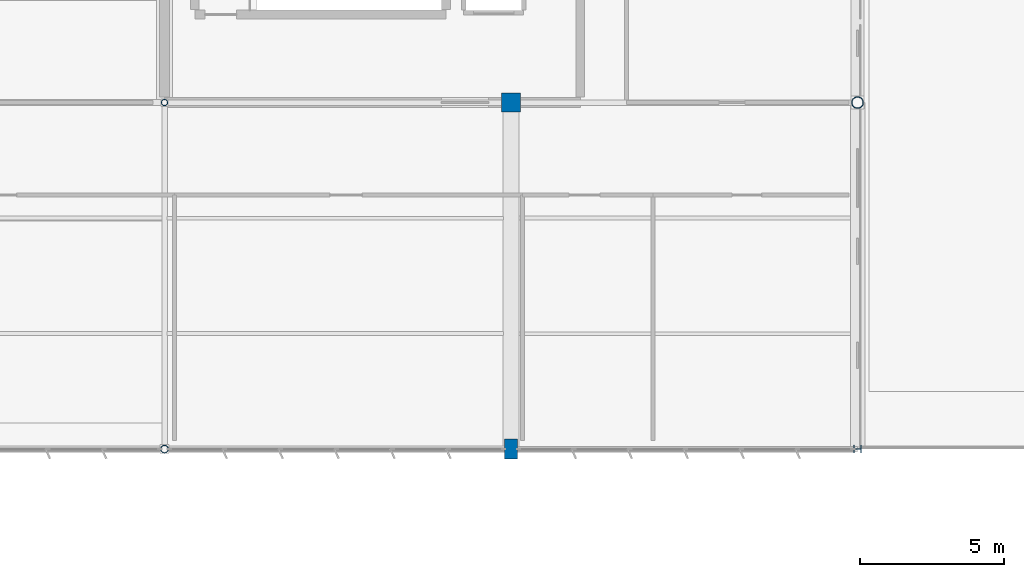
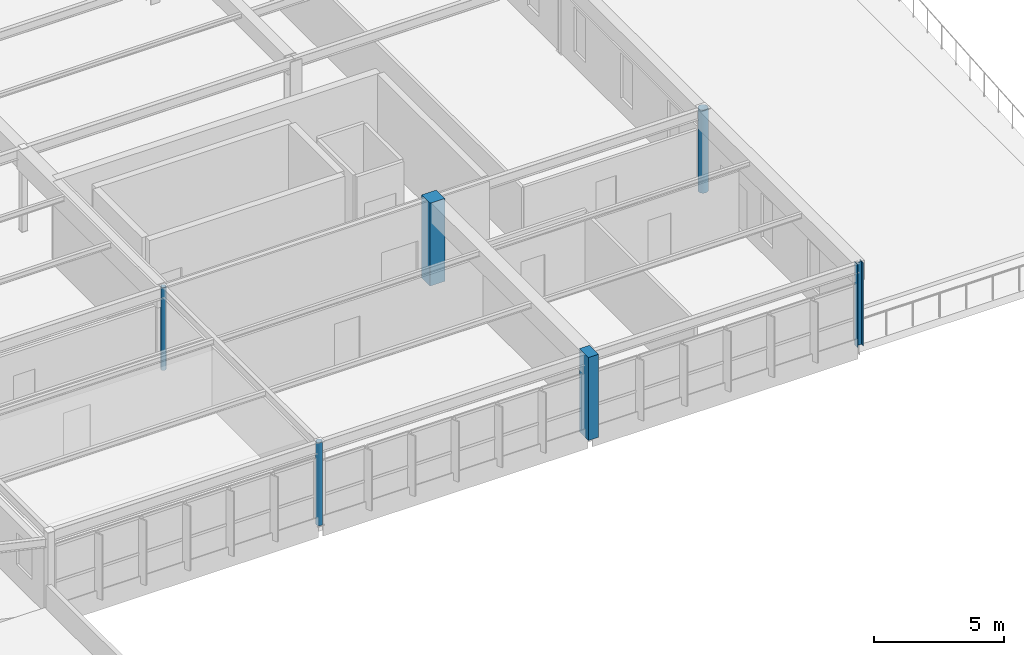
# One storey, part 22 of 128: 6 columns.
"""IFC4 building model written with IfcOpenShell, lengths in metres."""

import ifcopenshell
import ifcopenshell.guid

model = None  # the IFC model being written
_history = None  # IfcOwnerHistory: only IFC2X3 demands one
_inside = {}  # id of a spatial element -> (the spatial element, [elements in it])
_under = {}  # id of a project, library or spatial element -> (it, [spatial elements below it])
_declared = {}  # id of a project -> (the project, [libraries it declares])
_typed = {}  # id of a type object -> (the type object, [elements of that type])
_made_of = {}  # id of a material, layer set ... -> (it, [elements and type objects made of it])


def new_model(schema):
    """Start an empty IFC model of exactly this schema.

    Asked for "IFC4X3", IfcOpenShell would pick the latest addendum, in which some entities
    have other attributes; the version numbers below select the first issue.
    IFC2X3 requires an IfcOwnerHistory on every rooted entity: one is made here for all.
    """
    global model, _history
    if schema == "IFC4X3":
        model = ifcopenshell.file(schema_version=(4, 3, 0, 0))
    else:
        model = ifcopenshell.file(schema=schema)
    _inside.clear()
    _under.clear()
    _declared.clear()
    _typed.clear()
    _made_of.clear()
    _history = None
    if model.schema == "IFC2X3":
        org = make("IfcOrganization", Name="unknown")
        user = make(
            "IfcPersonAndOrganization",
            ThePerson=make("IfcPerson", FamilyName="unknown"),
            TheOrganization=org,
        )
        app = make(
            "IfcApplication",
            ApplicationDeveloper=org,
            Version="unknown",
            ApplicationFullName="unknown",
            ApplicationIdentifier="unknown",
        )
        _history = make(
            "IfcOwnerHistory",
            OwningUser=user,
            OwningApplication=app,
            ChangeAction="ADDED",
            CreationDate=0,
        )
    return model


def make(cls, **values):
    """One entity of the class cls with the attributes given. An attribute that is None is left unset."""
    return model.create_entity(
        cls, **{name: value for name, value in values.items() if value is not None}
    )


def rooted(cls, **values):
    """An entity with a GlobalId (a new one), such as an element, a storey or a relation."""
    return make(cls, GlobalId=ifcopenshell.guid.new(), OwnerHistory=_history, **values)


def si_unit(unit_type, name, prefix=None):
    """IfcSIUnit, for example si_unit("LENGTHUNIT", "METRE", prefix="MILLI")."""
    return make("IfcSIUnit", UnitType=unit_type, Prefix=prefix, Name=name)


def assignment(units):
    """IfcUnitAssignment: the units of a project."""
    return None if units is None else make("IfcUnitAssignment", Units=units)


def point(xyz):
    """IfcCartesianPoint."""
    return None if xyz is None else make("IfcCartesianPoint", Coordinates=xyz)


def direction(xyz):
    """IfcDirection."""
    return None if xyz is None else make("IfcDirection", DirectionRatios=xyz)


def frame(location, z_axis=None, x_axis=None):
    """IfcAxis2Placement3D, a coordinate frame: its origin and axes. An axis left out is left unset."""
    return make(
        "IfcAxis2Placement3D",
        Location=point(location),
        Axis=direction(z_axis),
        RefDirection=direction(x_axis),
    )


def frame_2d(location, x_axis=None):
    """IfcAxis2Placement2D, a coordinate frame in the plane: its origin and x axis."""
    return make(
        "IfcAxis2Placement2D", Location=point(location), RefDirection=direction(x_axis)
    )


def origin():
    """The frame at (0, 0, 0) with its axes left unset."""
    return frame((0.0, 0.0, 0.0))


def origin_2d():
    """The frame at (0, 0) in the plane with its x axis left unset."""
    return frame_2d((0.0, 0.0))


def place(relative_to, where):
    """IfcLocalPlacement: puts the frame where relative to a parent placement (None: the world)."""
    return make(
        "IfcLocalPlacement", PlacementRelTo=relative_to, RelativePlacement=where
    )


def context(
    kind, dimensions, precision=None, world=None, true_north=None, identifier=None
):
    """IfcGeometricRepresentationContext, for example the 3D "Model" context."""
    return make(
        "IfcGeometricRepresentationContext",
        ContextIdentifier=identifier,
        ContextType=kind,
        CoordinateSpaceDimension=dimensions,
        Precision=precision,
        WorldCoordinateSystem=world,
        TrueNorth=true_north,
    )


def subcontext(parent, identifier, kind, view, scale=None):
    """IfcGeometricRepresentationSubContext, for example "Body" below "Model"."""
    return make(
        "IfcGeometricRepresentationSubContext",
        ContextIdentifier=identifier,
        ContextType=kind,
        ParentContext=parent,
        TargetScale=scale,
        TargetView=view,
    )


def project(units=None, contexts=None):
    """IfcProject with its units and contexts."""
    return rooted(
        "IfcProject",
        Name="project",
        RepresentationContexts=contexts,
        UnitsInContext=assignment(units),
    )


def spatial(cls, under=None, at=None, **own):
    """A site, building, storey or space (cls), placed at a placement, below another one or the project."""
    s = rooted(cls, ObjectPlacement=at, **own)
    if under is not None:
        _under.setdefault(under.id(), (under, []))[1].append(s)
    return s


def profile(cls, at=None, kind="AREA", **sizes):
    """A parametric profile (cls). Its sizes go by their IFC names, for example OverallWidth=200.0."""
    return make(cls, ProfileType=kind, Position=at, **sizes)


def rectangle(**sizes):
    """IfcRectangleProfileDef."""
    return profile("IfcRectangleProfileDef", **sizes)


def hollow_circle(**sizes):
    """IfcCircleHollowProfileDef."""
    return profile("IfcCircleHollowProfileDef", **sizes)


def i_section(**sizes):
    """IfcIShapeProfileDef."""
    return profile("IfcIShapeProfileDef", **sizes)


def extrude(swept, where, along, depth):
    """IfcExtrudedAreaSolid: the profile swept, set in the frame where, extruded along a direction by depth."""
    return make(
        "IfcExtrudedAreaSolid",
        SweptArea=swept,
        Position=where,
        ExtrudedDirection=direction(along),
        Depth=depth,
    )


def shape(context_of_items, identifier, shape_type, items):
    """IfcShapeRepresentation: the items that make up one representation, for example the "Body"."""
    return make(
        "IfcShapeRepresentation",
        ContextOfItems=context_of_items,
        RepresentationIdentifier=identifier,
        RepresentationType=shape_type,
        Items=items,
    )


def material(Name=None, Category=None):
    """IfcMaterial."""
    return make("IfcMaterial", Name=Name, Category=Category)


def material_profile(
    of_material, cross_section, Name=None, Category=None, Priority=None
):
    """IfcMaterialProfile: a cross section and its material."""
    return make(
        "IfcMaterialProfile",
        Name=Name,
        Material=of_material,
        Profile=cross_section,
        Priority=Priority,
        Category=Category,
    )


def profile_set(profiles, Name=None, composite=None):
    """IfcMaterialProfileSet."""
    return make(
        "IfcMaterialProfileSet",
        Name=Name,
        MaterialProfiles=profiles,
        CompositeProfile=composite,
    )


def made_of(thing, what):
    """Note that an element or type object is made of a material, layer set ...; save() writes the relation."""
    if what is not None:
        _made_of.setdefault(what.id(), (what, []))[1].append(thing)
    return thing


def type_object(cls, material=None, **own):
    """A type object (cls), such as IfcWallType, which elements share."""
    return made_of(rooted(cls, **own), material)


def element(
    cls,
    number,
    at=None,
    inside=None,
    cuts=None,
    type_object=None,
    material=None,
    context=None,
    identifier="Body",
    shape_type=None,
    held_by="IfcProductDefinitionShape",
    body=None,
    shapes=None,
    **own,
):
    """One element of the class cls, such as IfcWall. Its Tag is "e" and its number.

    at: its placement. inside: the storey or other place that contains it. cuts: it is an
    opening in that element (IfcRelVoidsElement). A single representation is given by context,
    identifier, shape_type and body (its items); several are given by shapes. held_by: the class
    of the entity that holds the representations. save() writes the other relations.
    """
    e = rooted(cls, Tag="e%d" % number, ObjectPlacement=at, **own)
    if body is not None:
        shapes = [shape(context, identifier, shape_type, body)]
    if shapes is not None:
        e.Representation = make(held_by, Representations=shapes)
    if inside is not None:
        _inside.setdefault(inside.id(), (inside, []))[1].append(e)
    if cuts is not None:
        rooted(
            "IfcRelVoidsElement", RelatingBuildingElement=cuts, RelatedOpeningElement=e
        )
    if type_object is not None:
        _typed.setdefault(type_object.id(), (type_object, []))[1].append(e)
    return made_of(e, material)


def aggregate(whole, parts):
    """IfcRelAggregates: a whole, such as a stair, and the parts it consists of."""
    return rooted("IfcRelAggregates", RelatingObject=whole, RelatedObjects=parts)


def save(model, path):
    """Write the relations noted so far, then the file.

    IfcRelAggregates (storeys below a building ...), IfcRelContainedInSpatialStructure (elements
    in a storey), IfcRelDefinesByType, IfcRelAssociatesMaterial and IfcRelDeclares: one each for
    every whole, place, type object, material and project.
    """
    for whole, parts in _under.values():
        aggregate(whole, parts)
    for where, things in _inside.values():
        rooted(
            "IfcRelContainedInSpatialStructure",
            RelatedElements=things,
            RelatingStructure=where,
        )
    for kind, things in _typed.values():
        rooted("IfcRelDefinesByType", RelatedObjects=things, RelatingType=kind)
    for what, things in _made_of.values():
        rooted("IfcRelAssociatesMaterial", RelatedObjects=things, RelatingMaterial=what)
    for by, libraries in _declared.values():
        rooted("IfcRelDeclares", RelatingContext=by, RelatedDefinitions=libraries)
    model.write(path)


model = new_model("IFC4")

# Units and contexts
model_context = context("Model", 3, precision=1e-05, world=origin(), true_north=direction((0.0, 1.0)))
body_context = subcontext(model_context, "Body", "Model", "MODEL_VIEW")
ifc_project = project(units=[si_unit("LENGTHUNIT", "METRE"), si_unit("AREAUNIT", "SQUARE_METRE"), si_unit("VOLUMEUNIT", "CUBIC_METRE"), si_unit("PLANEANGLEUNIT", "RADIAN"), si_unit("MASSUNIT", "GRAM", prefix="KILO")], contexts=[model_context])

# Site, building, storey
site_placement = place(None, origin())
site = spatial("IfcSite", under=ifc_project, at=site_placement, CompositionType="ELEMENT")
building_placement = place(site_placement, origin())
building = spatial("IfcBuilding", under=site, at=building_placement, Name="Tarnwether General Hospital", CompositionType="ELEMENT")
storey_placement = place(building_placement, frame((0.0, 0.0, 14.39990234375)))
storey = spatial("IfcBuildingStorey", under=building, at=storey_placement, Name="L03", CompositionType="ELEMENT", Elevation=14.39990234375)

# Columns
ifc_material_1 = material(Name="Steel Grade 350 (350 MPa)", Category="steel")
ifc_material_profile_1 = material_profile(ifc_material_1, i_section(OverallWidth=0.256103515625, OverallDepth=0.260009765625, WebThickness=0.010498046875, FlangeThickness=0.017333984375, at=origin_2d()), Name="250UC89.5")
ifc_profile_set_1 = profile_set([ifc_material_profile_1], Name="Steel Grade 350 (350 MPa)")
column_type_1 = type_object("IfcColumnType", Name="COL-09", PredefinedType="COLUMN", material=ifc_profile_set_1)
column_1_placement = place(storey_placement, frame((180.0, 81.60009765625, 0.0), z_axis=(0.0, 0.0, 1.0), x_axis=(0.0, 1.0, 0.0)))
element("IfcColumn", 1, at=column_1_placement, inside=storey, type_object=column_type_1, Name="Column COLG-L03-18000_8160", PredefinedType="COLUMN", context=body_context, shape_type="SweptSolid", body=[
    extrude(i_section(OverallWidth=0.256103515625, OverallDepth=0.260009765625, WebThickness=0.010498046875, FlangeThickness=0.017333984375, at=origin_2d()), origin(), (0.0, 0.0, 1.0), 3.900146484375),
])
ifc_material_2 = material(Name="Steel Grade C350L0 (350 MPa)", Category="steel")
ifc_material_profile_2 = material_profile(ifc_material_2, hollow_circle(Radius=0.203125, WallThickness=0.01611328125, at=origin_2d()), Name="CHS406.4x16.0")
ifc_profile_set_2 = profile_set([ifc_material_profile_2], Name="Steel Grade C350L0 (350 MPa)")
column_type_2 = type_object("IfcColumnType", Name="COL-10", PredefinedType="COLUMN", material=ifc_profile_set_2)
column_2_placement = place(storey_placement, frame((180.0, 93.60009765625, 0.0), z_axis=(0.0, 0.0, 1.0), x_axis=(0.0, 1.0, 0.0)))
element("IfcColumn", 2, at=column_2_placement, inside=storey, type_object=column_type_2, Name="Column COLG-L03-18000_9360", PredefinedType="COLUMN", context=body_context, shape_type="SweptSolid", body=[
    extrude(hollow_circle(Radius=0.203125, WallThickness=0.01611328125, at=origin_2d()), origin(), (0.0, 0.0, 1.0), 3.900146484375),
])
ifc_material_3 = material(Name="Steel Grade C350L0 (350 MPa)", Category="steel")
ifc_material_profile_3 = material_profile(ifc_material_3, hollow_circle(Radius=0.136474609375, WallThickness=0.0126953125, at=origin_2d()), Name="CHS273.1x12.7")
ifc_profile_set_3 = profile_set([ifc_material_profile_3], Name="Steel Grade C350L0 (350 MPa)")
column_type_3 = type_object("IfcColumnType", Name="COL-12", PredefinedType="COLUMN", material=ifc_profile_set_3)
column_3_placement = place(storey_placement, frame((156.0, 81.60009765625, 0.0), z_axis=(0.0, 0.0, 1.0), x_axis=(0.0, 1.0, 0.0)))
element("IfcColumn", 3, at=column_3_placement, inside=storey, type_object=column_type_3, Name="Column COLG-L03-15600_8160", PredefinedType="COLUMN", context=body_context, shape_type="SweptSolid", body=[
    extrude(hollow_circle(Radius=0.136474609375, WallThickness=0.0126953125, at=origin_2d()), origin(), (0.0, 0.0, 1.0), 3.900146484375),
])
ifc_material_4 = material(Name="Steel Grade C350L0 (350 MPa)", Category="steel")
ifc_material_profile_4 = material_profile(ifc_material_4, hollow_circle(Radius=0.109619140625, WallThickness=0.010009765625, at=origin_2d()), Name="CHS219.1x10.0")
ifc_profile_set_4 = profile_set([ifc_material_profile_4], Name="Steel Grade C350L0 (350 MPa)")
column_type_4 = type_object("IfcColumnType", Name="COL-13", PredefinedType="COLUMN", material=ifc_profile_set_4)
column_4_placement = place(storey_placement, frame((156.0, 93.60009765625, 0.0), z_axis=(0.0, 0.0, 1.0), x_axis=(0.0, 1.0, 0.0)))
element("IfcColumn", 4, at=column_4_placement, inside=storey, type_object=column_type_4, Name="Column COLG-L03-15600_9360", PredefinedType="COLUMN", context=body_context, shape_type="SweptSolid", body=[
    extrude(hollow_circle(Radius=0.109619140625, WallThickness=0.010009765625, at=origin_2d()), origin(), (0.0, 0.0, 1.0), 3.900146484375),
])
ifc_material_5 = material(Name="Concrete 50 MPa", Category="concrete")
ifc_material_profile_5 = material_profile(ifc_material_5, rectangle(XDim=0.449951171875, YDim=0.699951171875, at=origin_2d()), Name="RC-PIL-450x700")
ifc_profile_set_5 = profile_set([ifc_material_profile_5], Name="Concrete 50 MPa")
column_type_5 = type_object("IfcColumnType", Name="COL-22", PredefinedType="PILASTER", material=ifc_profile_set_5)
column_5_placement = place(storey_placement, frame((168.0, 81.60009765625, 0.0), z_axis=(0.0, 0.0, 1.0), x_axis=(1.0, 0.0, 0.0)))
element("IfcColumn", 5, at=column_5_placement, inside=storey, type_object=column_type_5, Name="Column COLG-L03-16800_8160", PredefinedType="PILASTER", context=body_context, shape_type="SweptSolid", body=[
    extrude(rectangle(XDim=0.449951171875, YDim=0.699951171875, at=origin_2d()), origin(), (0.0, 0.0, 1.0), 3.900146484375),
])
ifc_material_6 = material(Name="Concrete 50 MPa", Category="concrete")
ifc_material_profile_6 = material_profile(ifc_material_6, rectangle(XDim=0.64990234375, YDim=0.64990234375, at=origin_2d()), Name="RC-COL-650x650")
ifc_profile_set_6 = profile_set([ifc_material_profile_6], Name="Concrete 50 MPa")
column_type_6 = type_object("IfcColumnType", Name="COL-35", PredefinedType="COLUMN", material=ifc_profile_set_6)
column_6_placement = place(storey_placement, frame((168.0, 93.60009765625, 0.0), z_axis=(0.0, 0.0, 1.0), x_axis=(1.0, 0.0, 0.0)))
element("IfcColumn", 6, at=column_6_placement, inside=storey, type_object=column_type_6, Name="Column COLG-L03-16800_9360", PredefinedType="COLUMN", context=body_context, shape_type="SweptSolid", body=[
    extrude(rectangle(XDim=0.64990234375, YDim=0.64990234375, at=origin_2d()), origin(), (0.0, 0.0, 1.0), 3.900146484375),
])

save(model, "model.ifc")
